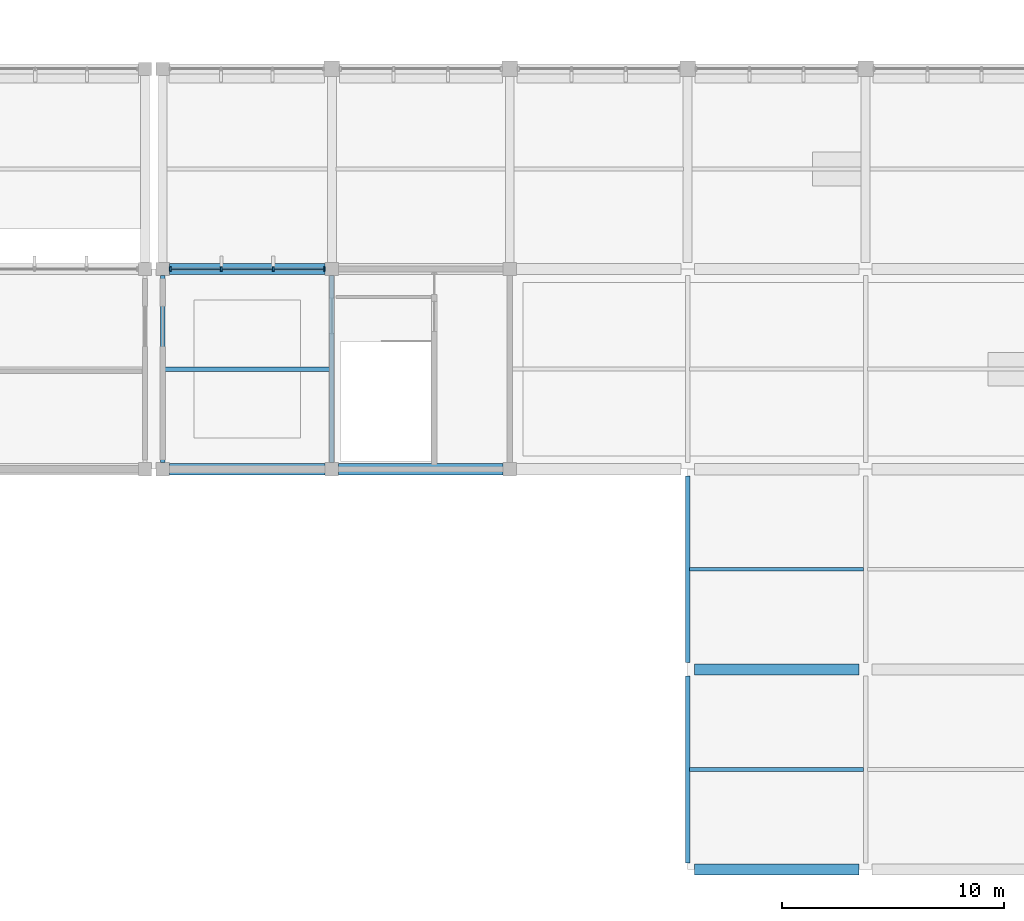
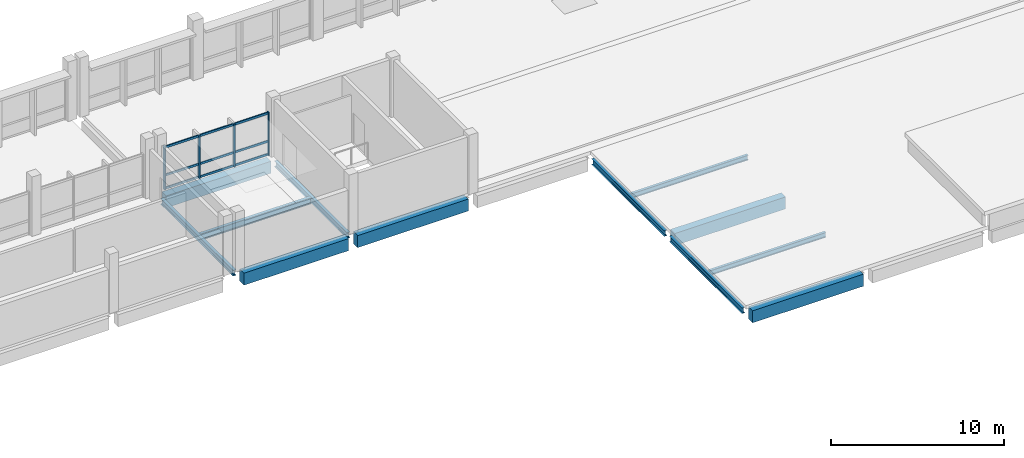
# One storey, part 30 of 70: 13 members, 12 beams, 1 element without a shape of its own.
"""IFC4 building model written with IfcOpenShell, lengths in metres."""

from ifc_helpers import new_model, si_unit, direction, frame, origin, origin_2d, place, context, subcontext, project, spatial, rectangle, i_section, extrude, material, material_profile, profile_set, type_object, element, aggregate, save


model = new_model("IFC4")

# Units and contexts
model_context = context("Model", 3, precision=1e-05, world=origin(), true_north=direction((0.0, 1.0)))
body_context = subcontext(model_context, "Body", "Model", "MODEL_VIEW")
ifc_project = project(units=[si_unit("LENGTHUNIT", "METRE"), si_unit("AREAUNIT", "SQUARE_METRE"), si_unit("VOLUMEUNIT", "CUBIC_METRE"), si_unit("PLANEANGLEUNIT", "RADIAN"), si_unit("MASSUNIT", "GRAM", prefix="KILO"), si_unit("THERMODYNAMICTEMPERATUREUNIT", "KELVIN"), si_unit("POWERUNIT", "WATT")], contexts=[model_context])

# Site, building, storey
site_placement = place(None, origin())
site = spatial("IfcSite", under=ifc_project, at=site_placement, CompositionType="ELEMENT")
building_placement = place(site_placement, origin())
building = spatial("IfcBuilding", under=site, at=building_placement, Name="Kronsvod Quay Wholesale Market", CompositionType="ELEMENT")
storey_placement = place(building_placement, frame((0.0, 0.0, 9.0)))
storey = spatial("IfcBuildingStorey", under=building, at=storey_placement, Name="L02", CompositionType="ELEMENT", Elevation=9.0)

# Beams
ifc_material_1 = material(Name="Steel S355", Category="steel")
ifc_material_profile_1 = material_profile(ifc_material_1, i_section(OverallWidth=0.199951171875, OverallDepth=0.39990234375, WebThickness=0.008056640625, FlangeThickness=0.012939453125, FilletRadius=0.01611328125, at=origin_2d()), Name="40B2")
ifc_profile_set_1 = profile_set([ifc_material_profile_1], Name="Steel S355")
beam_type_1 = type_object("IfcBeamType", Name="Beam_Steel40B2", PredefinedType="BEAM", material=ifc_profile_set_1)
for number, where, z_axis, x_axis, name in (
    (1, (128.39990234375, 36.300048828125, -0.510009765625), (0.0, 1.0, 0.0), (-1.0, 0.0, 0.0), "BMY-L02-1284-360"),
    (2, (136.0, 36.300048828125, -0.510009765625), (0.0, 1.0, 0.0), (-1.0, 0.0, 0.0), "BMY-L02-1360-360"),
    (3, (152.0, 18.300048828125, -0.510009765625), (0.0, 1.0, 0.0), (-1.0, 0.0, 0.0), "BMY-L02-1520-180"),
    (4, (152.0, 27.300048828125, -0.510009765625), (0.0, 1.0, 0.0), (-1.0, 0.0, 0.0), "BMY-L02-1520-270"),
):
    element("IfcBeam", number, at=place(storey_placement, frame(where, z_axis=z_axis, x_axis=x_axis)), inside=storey, type_object=beam_type_1, Name=name, PredefinedType="BEAM", context=body_context, shape_type="SweptSolid", body=[
        extrude(i_section(OverallWidth=0.199951171875, OverallDepth=0.39990234375, WebThickness=0.008056640625, FlangeThickness=0.012939453125, FilletRadius=0.01611328125, at=origin_2d()), origin(), (0.0, 0.0, 1.0), 8.39990234375),
    ])
ifc_material_2 = material(Name="Steel S355", Category="steel")
ifc_material_profile_2 = material_profile(ifc_material_2, i_section(OverallWidth=0.199951171875, OverallDepth=0.449951171875, WebThickness=0.009033203125, FlangeThickness=0.013916015625, FilletRadius=0.01806640625, at=origin_2d()), Name="45B2")
ifc_profile_set_2 = profile_set([ifc_material_profile_2], Name="Steel S355")
beam_type_2 = type_object("IfcBeamType", Name="Beam_Steel45B2", PredefinedType="BEAM", material=ifc_profile_set_2)
beam_1_placement = place(storey_placement, frame((128.4951171875, 40.5, -0.52490234375), z_axis=(1.0, 0.0, 0.0), x_axis=(0.0, 1.0, 0.0)))
element("IfcBeam", 5, at=beam_1_placement, inside=storey, type_object=beam_type_2, Name="JSTX-L02-1284-360", PredefinedType="BEAM", context=body_context, shape_type="SweptSolid", body=[
    extrude(i_section(OverallWidth=0.199951171875, OverallDepth=0.449951171875, WebThickness=0.009033203125, FlangeThickness=0.013916015625, FilletRadius=0.01806640625, at=origin_2d()), origin(), (0.0, 0.0, 1.0), 7.409912109375),
])
ifc_material_3 = material(Name="Precast concrete C40/50", Category="concrete")
ifc_material_profile_3 = material_profile(ifc_material_3, rectangle(XDim=0.5, YDim=0.85009765625, at=origin_2d()), Name="PCB500x850")
ifc_profile_set_3 = profile_set([ifc_material_profile_3], Name="Precast concrete C40/50")
beam_type_3 = type_object("IfcBeamType", Name="Girder_PCB500x850", PredefinedType="T_BEAM", material=ifc_profile_set_3)
for number, where, z_axis, x_axis, name in (
    (6, (152.300048828125, 18.0, -0.735107421875), (1.0, 0.0, 0.0), (0.0, 1.0, 0.0), "BMX-L02-1520-180"),
    (7, (152.300048828125, 27.0, -0.735107421875), (1.0, 0.0, 0.0), (0.0, 1.0, 0.0), "BMX-L02-1520-270"),
):
    element("IfcBeam", number, at=place(storey_placement, frame(where, z_axis=z_axis, x_axis=x_axis)), inside=storey, type_object=beam_type_3, Name=name, PredefinedType="T_BEAM", context=body_context, shape_type="SweptSolid", body=[
        extrude(rectangle(XDim=0.5, YDim=0.85009765625, at=origin_2d()), origin(), (0.0, 0.0, 1.0), 7.39990234375),
    ])
beam_2_placement = place(storey_placement, frame((128.699951171875, 36.0, -0.735107421875), z_axis=(1.0, 0.0, 0.0), x_axis=(0.0, 1.0, 0.0)))
element("IfcBeam", 8, at=beam_2_placement, inside=storey, type_object=beam_type_3, Name="BMX-L02-1284-360", PredefinedType="T_BEAM", context=body_context, shape_type="SweptSolid", body=[
    extrude(rectangle(XDim=0.5, YDim=0.85009765625, at=origin_2d()), origin(), (0.0, 0.0, 1.0), 7.0),
])
beam_3_placement = place(storey_placement, frame((136.300048828125, 36.0, -0.735107421875), z_axis=(1.0, 0.0, 0.0), x_axis=(0.0, 1.0, 0.0)))
element("IfcBeam", 9, at=beam_3_placement, inside=storey, type_object=beam_type_3, Name="BMX-L02-1360-360", PredefinedType="T_BEAM", context=body_context, shape_type="SweptSolid", body=[
    extrude(rectangle(XDim=0.5, YDim=0.85009765625, at=origin_2d()), origin(), (0.0, 0.0, 1.0), 7.39990234375),
])
beam_4_placement = place(storey_placement, frame((128.699951171875, 45.0, -0.735107421875), z_axis=(1.0, 0.0, 0.0), x_axis=(0.0, 1.0, 0.0)))
element("IfcBeam", 10, at=beam_4_placement, inside=storey, type_object=beam_type_3, Name="BMX-L02-1284-450", PredefinedType="T_BEAM", context=body_context, shape_type="SweptSolid", body=[
    extrude(rectangle(XDim=0.5, YDim=0.85009765625, at=origin_2d()), origin(), (0.0, 0.0, 1.0), 7.0),
])
ifc_material_4 = material(Name="Steel S355", Category="steel")
ifc_material_profile_4 = material_profile(ifc_material_4, i_section(OverallWidth=0.174072265625, OverallDepth=0.345947265625, WebThickness=0.006103515625, FlangeThickness=0.009033203125, FilletRadius=0.013916015625, at=origin_2d()), Name="35B1")
ifc_profile_set_4 = profile_set([ifc_material_profile_4], Name="Steel S355")
beam_type_4 = type_object("IfcBeamType", Name="Joist_Steel35B1", PredefinedType="JOIST", material=ifc_profile_set_4)
for number, where, z_axis, x_axis, name in (
    (11, (152.094970703125, 22.5, -0.43310546875), (1.0, 0.0, 0.0), (0.0, 1.0, 0.0), "JSTX-L02-1520-180"),
    (12, (152.094970703125, 31.5, -0.43310546875), (1.0, 0.0, 0.0), (0.0, 1.0, 0.0), "JSTX-L02-1520-270"),
):
    element("IfcBeam", number, at=place(storey_placement, frame(where, z_axis=z_axis, x_axis=x_axis)), inside=storey, type_object=beam_type_4, Name=name, PredefinedType="JOIST", context=body_context, shape_type="SweptSolid", body=[
        extrude(i_section(OverallWidth=0.174072265625, OverallDepth=0.345947265625, WebThickness=0.006103515625, FlangeThickness=0.009033203125, FilletRadius=0.013916015625, at=origin_2d()), origin(), (0.0, 0.0, 1.0), 7.81005859375),
    ])

# Curtain wall, members
ifc_material_5 = material(Name="Thermally broken aluminium and triple low-E glazing", Category="aluminium")
curtain_wall_type = type_object("IfcCurtainWallType", Name="CW_Harbour76x33", PredefinedType="NOTDEFINED", material=ifc_material_5)
curtain_wall_placement = place(storey_placement, origin())
curtain_wall = element("IfcCurtainWall", 13, at=curtain_wall_placement, inside=storey, type_object=curtain_wall_type, Name="CWGX-L02-1284-450", PredefinedType="NOTDEFINED")
ifc_material_6 = material(Name="Anodised aluminium", Category="aluminium")
ifc_material_profile_5 = material_profile(ifc_material_6, rectangle(XDim=0.074951171875, YDim=0.199951171875, at=origin_2d()), Name="ALUM75x200")
ifc_profile_set_5 = profile_set([ifc_material_profile_5], Name="Anodised aluminium")
member_type_1 = type_object("IfcMemberType", Name="Mullion_ALU75x200", PredefinedType="MULLION", material=ifc_profile_set_5)
member_1_placement = place(storey_placement, frame((135.66748046875, 45.0, 0.0), z_axis=(0.0, 0.0, 1.0), x_axis=(1.0, 0.0, 0.0)))
member_1 = element("IfcMember", 14, at=member_1_placement, type_object=member_type_1, Name="CWGX-L02-1284-450-M1", PredefinedType="MULLION", context=body_context, shape_type="SweptSolid", body=[
    extrude(rectangle(XDim=0.074951171875, YDim=0.199951171875, at=origin_2d()), origin(), (0.0, 0.0, 1.0), 3.050048828125),
])
member_2_placement = place(storey_placement, frame((133.368408203125, 45.0, 0.0), z_axis=(0.0, 0.0, 1.0), x_axis=(1.0, 0.0, 0.0)))
member_2 = element("IfcMember", 15, at=member_2_placement, type_object=member_type_1, Name="CWGX-L02-1284-450-M2", PredefinedType="MULLION", context=body_context, shape_type="SweptSolid", body=[
    extrude(rectangle(XDim=0.074951171875, YDim=0.199951171875, at=origin_2d()), origin(), (0.0, 0.0, 1.0), 3.050048828125),
])
member_3_placement = place(storey_placement, frame((131.03173828125, 45.0, 0.0), z_axis=(0.0, 0.0, 1.0), x_axis=(1.0, 0.0, 0.0)))
member_3 = element("IfcMember", 16, at=member_3_placement, type_object=member_type_1, Name="CWGX-L02-1284-450-M3", PredefinedType="MULLION", context=body_context, shape_type="SweptSolid", body=[
    extrude(rectangle(XDim=0.074951171875, YDim=0.199951171875, at=origin_2d()), origin(), (0.0, 0.0, 1.0), 3.050048828125),
])
member_4_placement = place(storey_placement, frame((128.732421875, 45.0, 0.0), z_axis=(0.0, 0.0, 1.0), x_axis=(1.0, 0.0, 0.0)))
member_4 = element("IfcMember", 17, at=member_4_placement, type_object=member_type_1, Name="CWGX-L02-1284-450-M4", PredefinedType="MULLION", context=body_context, shape_type="SweptSolid", body=[
    extrude(rectangle(XDim=0.074951171875, YDim=0.199951171875, at=origin_2d()), origin(), (0.0, 0.0, 1.0), 3.050048828125),
])
ifc_material_7 = material(Name="Anodised aluminium", Category="aluminium")
ifc_material_profile_6 = material_profile(ifc_material_7, rectangle(XDim=0.074951171875, YDim=0.14990234375, at=origin_2d()), Name="ALUT75x150")
ifc_profile_set_6 = profile_set([ifc_material_profile_6], Name="Anodised aluminium")
member_type_2 = type_object("IfcMemberType", Name="Transom_ALU75x150", PredefinedType="USERDEFINED", material=ifc_profile_set_6)
member_5_placement = place(storey_placement, frame((135.6298828125, 45.0, 0.074951171875), z_axis=(-1.0, 0.0, 0.0), x_axis=(0.0, -1.0, 0.0)))
member_5 = element("IfcMember", 18, at=member_5_placement, type_object=member_type_2, Name="CWGX-L02-1284-450-T1B1", ObjectType="TRANSOM", PredefinedType="USERDEFINED", context=body_context, shape_type="SweptSolid", body=[
    extrude(rectangle(XDim=0.074951171875, YDim=0.14990234375, at=origin_2d()), origin(), (0.0, 0.0, 1.0), 2.22412109375),
])
member_6_placement = place(storey_placement, frame((133.330810546875, 45.0, 0.074951171875), z_axis=(-1.0, 0.0, 0.0), x_axis=(0.0, -1.0, 0.0)))
member_6 = element("IfcMember", 19, at=member_6_placement, type_object=member_type_2, Name="CWGX-L02-1284-450-T1B2", ObjectType="TRANSOM", PredefinedType="USERDEFINED", context=body_context, shape_type="SweptSolid", body=[
    extrude(rectangle(XDim=0.074951171875, YDim=0.14990234375, at=origin_2d()), origin(), (0.0, 0.0, 1.0), 2.26171875),
])
member_7_placement = place(storey_placement, frame((130.994140625, 45.0, 0.074951171875), z_axis=(-1.0, 0.0, 0.0), x_axis=(0.0, -1.0, 0.0)))
member_7 = element("IfcMember", 20, at=member_7_placement, type_object=member_type_2, Name="CWGX-L02-1284-450-T1B3", ObjectType="TRANSOM", PredefinedType="USERDEFINED", context=body_context, shape_type="SweptSolid", body=[
    extrude(rectangle(XDim=0.074951171875, YDim=0.14990234375, at=origin_2d()), origin(), (0.0, 0.0, 1.0), 2.22412109375),
])
member_8_placement = place(storey_placement, frame((135.6298828125, 45.0, 1.0), z_axis=(-1.0, 0.0, 0.0), x_axis=(0.0, -1.0, 0.0)))
member_8 = element("IfcMember", 21, at=member_8_placement, type_object=member_type_2, Name="CWGX-L02-1284-450-T2B1", ObjectType="TRANSOM", PredefinedType="USERDEFINED", context=body_context, shape_type="SweptSolid", body=[
    extrude(rectangle(XDim=0.074951171875, YDim=0.14990234375, at=origin_2d()), origin(), (0.0, 0.0, 1.0), 2.22412109375),
])
member_9_placement = place(storey_placement, frame((133.330810546875, 45.0, 1.0), z_axis=(-1.0, 0.0, 0.0), x_axis=(0.0, -1.0, 0.0)))
member_9 = element("IfcMember", 22, at=member_9_placement, type_object=member_type_2, Name="CWGX-L02-1284-450-T2B2", ObjectType="TRANSOM", PredefinedType="USERDEFINED", context=body_context, shape_type="SweptSolid", body=[
    extrude(rectangle(XDim=0.074951171875, YDim=0.14990234375, at=origin_2d()), origin(), (0.0, 0.0, 1.0), 2.26171875),
])
member_10_placement = place(storey_placement, frame((130.994140625, 45.0, 1.0), z_axis=(-1.0, 0.0, 0.0), x_axis=(0.0, -1.0, 0.0)))
member_10 = element("IfcMember", 23, at=member_10_placement, type_object=member_type_2, Name="CWGX-L02-1284-450-T2B3", ObjectType="TRANSOM", PredefinedType="USERDEFINED", context=body_context, shape_type="SweptSolid", body=[
    extrude(rectangle(XDim=0.074951171875, YDim=0.14990234375, at=origin_2d()), origin(), (0.0, 0.0, 1.0), 2.22412109375),
])
member_11_placement = place(storey_placement, frame((135.6298828125, 45.0, 2.97509765625), z_axis=(-1.0, 0.0, 0.0), x_axis=(0.0, -1.0, 0.0)))
member_11 = element("IfcMember", 24, at=member_11_placement, type_object=member_type_2, Name="CWGX-L02-1284-450-T3B1", ObjectType="TRANSOM", PredefinedType="USERDEFINED", context=body_context, shape_type="SweptSolid", body=[
    extrude(rectangle(XDim=0.074951171875, YDim=0.14990234375, at=origin_2d()), origin(), (0.0, 0.0, 1.0), 2.22412109375),
])
member_12_placement = place(storey_placement, frame((133.330810546875, 45.0, 2.97509765625), z_axis=(-1.0, 0.0, 0.0), x_axis=(0.0, -1.0, 0.0)))
member_12 = element("IfcMember", 25, at=member_12_placement, type_object=member_type_2, Name="CWGX-L02-1284-450-T3B2", ObjectType="TRANSOM", PredefinedType="USERDEFINED", context=body_context, shape_type="SweptSolid", body=[
    extrude(rectangle(XDim=0.074951171875, YDim=0.14990234375, at=origin_2d()), origin(), (0.0, 0.0, 1.0), 2.26171875),
])
member_13_placement = place(storey_placement, frame((130.994140625, 45.0, 2.97509765625), z_axis=(-1.0, 0.0, 0.0), x_axis=(0.0, -1.0, 0.0)))
member_13 = element("IfcMember", 26, at=member_13_placement, type_object=member_type_2, Name="CWGX-L02-1284-450-T3B3", ObjectType="TRANSOM", PredefinedType="USERDEFINED", context=body_context, shape_type="SweptSolid", body=[
    extrude(rectangle(XDim=0.074951171875, YDim=0.14990234375, at=origin_2d()), origin(), (0.0, 0.0, 1.0), 2.22412109375),
])
aggregate(curtain_wall, [member_1, member_2, member_3, member_4, member_5, member_6, member_7, member_8, member_9, member_10, member_11, member_12, member_13])

save(model, "model.ifc")
